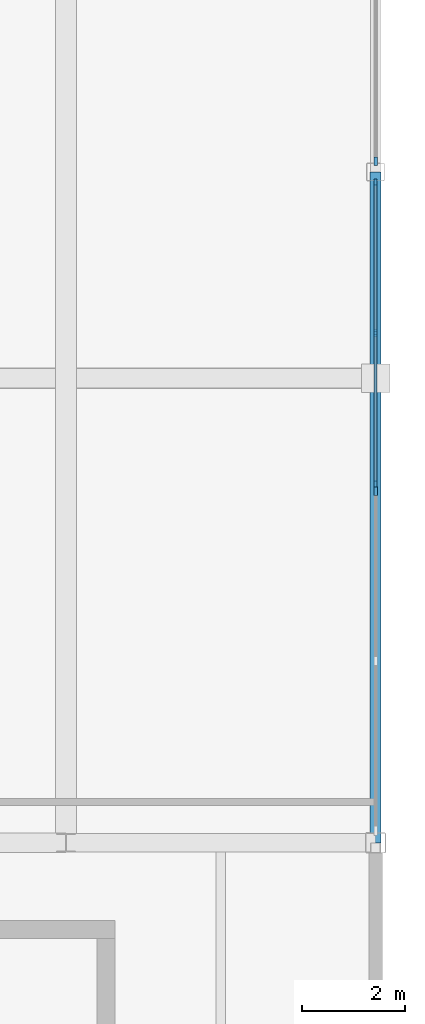
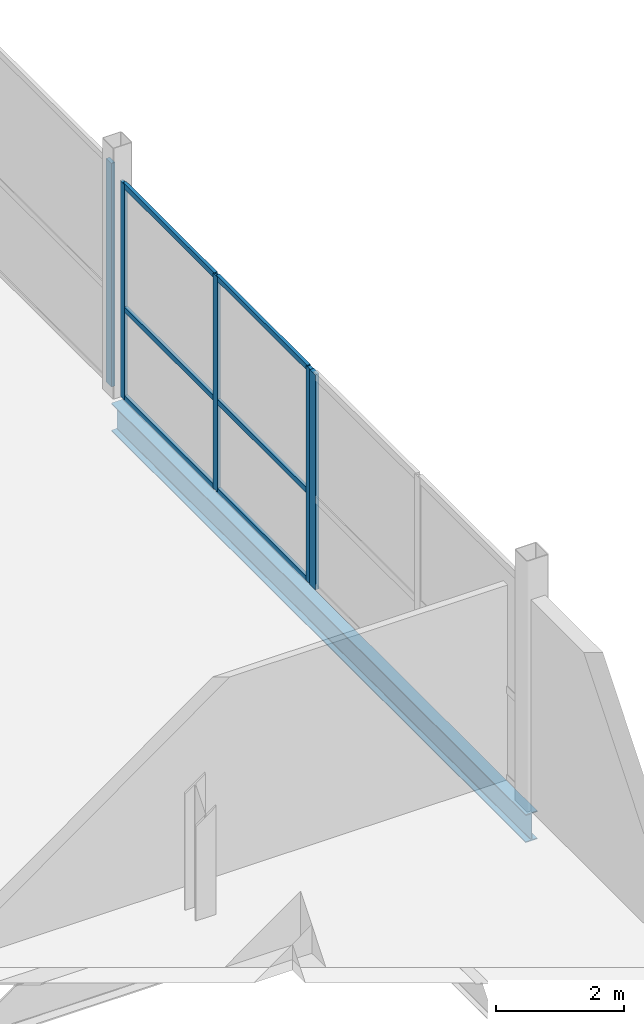
# One storey, part 37 of 69: 11 members, 1 beam, 3 elements without a shape of their own.
"""IFC4 building model written with IfcOpenShell, lengths in metres."""

from ifc_helpers import new_model, si_unit, direction, frame, origin, origin_2d, place, context, subcontext, project, spatial, rectangle, i_section, extrude, material, layer, layer_set, material_profile, profile_set, type_object, element, aggregate, save


model = new_model("IFC4")

# Units and contexts
model_context = context("Model", 3, precision=1e-05, world=origin(), true_north=direction((0.0, 1.0)))
body_context = subcontext(model_context, "Body", "Model", "MODEL_VIEW")
ifc_project = project(units=[si_unit("LENGTHUNIT", "METRE"), si_unit("AREAUNIT", "SQUARE_METRE"), si_unit("VOLUMEUNIT", "CUBIC_METRE"), si_unit("PLANEANGLEUNIT", "RADIAN"), si_unit("MASSUNIT", "GRAM", prefix="KILO")], contexts=[model_context])

# Site, building, storey
site_placement = place(None, origin())
site = spatial("IfcSite", under=ifc_project, at=site_placement, CompositionType="ELEMENT")
building_placement = place(site_placement, origin())
building = spatial("IfcBuilding", under=site, at=building_placement, Name="Qamarlyn Nura Convention Centre", CompositionType="ELEMENT")
storey_placement = place(building_placement, frame((0.0, 0.0, 15.60009765625)))
storey = spatial("IfcBuildingStorey", under=building, at=storey_placement, Name="L03", CompositionType="ELEMENT", Elevation=15.60009765625)

# Beam
ifc_material_1 = material(Name="Steel ASTM A992", Category="steel")
ifc_material_profile_1 = material_profile(ifc_material_1, i_section(OverallWidth=0.2109375, OverallDepth=0.5390625, WebThickness=0.01171875, FlangeThickness=0.018798828125, FilletRadius=0.013916015625, at=origin_2d()), Name="W530X109")
ifc_profile_set_1 = profile_set([ifc_material_profile_1], Name="Steel ASTM A992")
beam_type = type_object("IfcBeamType", Name="BM-SPAN-530", PredefinedType="SPANDREL", material=ifc_profile_set_1)
beam_placement = place(storey_placement, frame((192.0, 90.0, -0.469482421875), z_axis=(0.0, 1.0, 0.0), x_axis=(-1.0, 0.0, 0.0)))
element("IfcBeam", 1, at=beam_placement, inside=storey, type_object=beam_type, Name="L03 girder 18 L-M", PredefinedType="SPANDREL", context=body_context, shape_type="SweptSolid", body=[
    extrude(i_section(OverallWidth=0.2109375, OverallDepth=0.5390625, WebThickness=0.01171875, FlangeThickness=0.018798828125, FilletRadius=0.013916015625, at=origin_2d()), origin(), (0.0, 0.0, 1.0), 13.0),
])

# Curtain wall, members
ifc_material_2 = material(Name="Double-silver low-E insulated glass", Category="glass")
ifc_layer_1 = layer(ifc_material_2, 0.179931640625, Name="CW-UNIT-115")
ifc_layer_set_1 = layer_set([ifc_layer_1], Name="Double-silver low-E insulated glass")
curtain_wall_type_1 = type_object("IfcCurtainWallType", Name="CW-UNIT-115", PredefinedType="NOTDEFINED", material=ifc_layer_set_1)
curtain_wall_1_placement = place(storey_placement, origin())
curtain_wall_1 = element("IfcCurtainWall", 2, at=curtain_wall_1_placement, inside=storey, type_object=curtain_wall_type_1, Name="L03 unitised curtain wall EAST-11-1A", PredefinedType="NOTDEFINED")
ifc_material_3 = material(Name="Champagne-anodised marine aluminium", Category="aluminium")
ifc_material_profile_2 = material_profile(ifc_material_3, rectangle(XDim=0.06005859375, YDim=0.139892578125, at=origin_2d()), Name="ALU MULLION 60x140")
ifc_profile_set_2 = profile_set([ifc_material_profile_2], Name="Champagne-anodised marine aluminium")
member_type_1 = type_object("IfcMemberType", Name="CWM-140", PredefinedType="MULLION", material=ifc_profile_set_2)
member_1_placement = place(storey_placement, frame((192.0, 102.794921875, 0.0), z_axis=(0.0, 0.0, 1.0), x_axis=(1.0, 0.0, 0.0)))
member_1 = element("IfcMember", 3, at=member_1_placement, type_object=member_type_1, Name="CW115 mullion 1", PredefinedType="MULLION", context=body_context, shape_type="SweptSolid", body=[
    extrude(rectangle(XDim=0.06005859375, YDim=0.139892578125, at=origin_2d()), origin(), (0.0, 0.0, 1.0), 4.118896484375),
])
member_2_placement = place(storey_placement, frame((192.0, 99.878173828125, 0.0), z_axis=(0.0, 0.0, 1.0), x_axis=(1.0, 0.0, 0.0)))
member_2 = element("IfcMember", 4, at=member_2_placement, type_object=member_type_1, Name="CW115 mullion 2", PredefinedType="MULLION", context=body_context, shape_type="SweptSolid", body=[
    extrude(rectangle(XDim=0.06005859375, YDim=0.139892578125, at=origin_2d()), origin(), (0.0, 0.0, 1.0), 4.118896484375),
])
member_3_placement = place(storey_placement, frame((192.0, 96.961181640625, 0.0), z_axis=(0.0, 0.0, 1.0), x_axis=(1.0, 0.0, 0.0)))
member_3 = element("IfcMember", 5, at=member_3_placement, type_object=member_type_1, Name="CW115 mullion 3", PredefinedType="MULLION", context=body_context, shape_type="SweptSolid", body=[
    extrude(rectangle(XDim=0.06005859375, YDim=0.139892578125, at=origin_2d()), origin(), (0.0, 0.0, 1.0), 4.118896484375),
])

# Curtain wall, member
ifc_layer_2 = layer(ifc_material_2, 0.179931640625, Name="CW-UNIT-117")
ifc_layer_set_2 = layer_set([ifc_layer_2], Name="Double-silver low-E insulated glass")
curtain_wall_type_2 = type_object("IfcCurtainWallType", Name="CW-UNIT-117", PredefinedType="NOTDEFINED", material=ifc_layer_set_2)
curtain_wall_2_placement = place(storey_placement, origin())
curtain_wall_2 = element("IfcCurtainWall", 6, at=curtain_wall_2_placement, inside=storey, type_object=curtain_wall_type_2, Name="L03 unitised curtain wall EAST-12-1", PredefinedType="NOTDEFINED")
ifc_material_profile_3 = material_profile(ifc_material_3, rectangle(XDim=0.06494140625, YDim=0.159912109375, at=origin_2d()), Name="ALU MULLION 65x160")
ifc_profile_set_3 = profile_set([ifc_material_profile_3], Name="Champagne-anodised marine aluminium")
member_type_2 = type_object("IfcMemberType", Name="CWM-160", PredefinedType="MULLION", material=ifc_profile_set_3)
member_4_placement = place(storey_placement, frame((192.0, 103.20751953125, 0.0), z_axis=(0.0, 0.0, 1.0), x_axis=(1.0, 0.0, 0.0)))
member_4 = element("IfcMember", 7, at=member_4_placement, type_object=member_type_2, Name="CW117 mullion 2", PredefinedType="MULLION", context=body_context, shape_type="SweptSolid", body=[
    extrude(rectangle(XDim=0.06494140625, YDim=0.159912109375, at=origin_2d()), origin(), (0.0, 0.0, 1.0), 4.284912109375),
])
aggregate(curtain_wall_2, [member_4])

ifc_layer_3 = layer(ifc_material_2, 0.179931640625, Name="CW-UNIT-116")
ifc_layer_set_3 = layer_set([ifc_layer_3], Name="Double-silver low-E insulated glass")
curtain_wall_type_3 = type_object("IfcCurtainWallType", Name="CW-UNIT-116", PredefinedType="NOTDEFINED", material=ifc_layer_set_3)
curtain_wall_3_placement = place(storey_placement, origin())
curtain_wall_3 = element("IfcCurtainWall", 8, at=curtain_wall_3_placement, inside=storey, type_object=curtain_wall_type_3, Name="L03 unitised curtain wall EAST-11-1B", PredefinedType="NOTDEFINED")
ifc_material_profile_4 = material_profile(ifc_material_3, rectangle(XDim=0.070068359375, YDim=0.179931640625, at=origin_2d()), Name="ALU MULLION 70x180")
ifc_profile_set_4 = profile_set([ifc_material_profile_4], Name="Champagne-anodised marine aluminium")
member_type_3 = type_object("IfcMemberType", Name="CWM-180", PredefinedType="MULLION", material=ifc_profile_set_4)
member_5_placement = place(storey_placement, frame((192.0, 96.81640625, 0.0), z_axis=(0.0, 0.0, 1.0), x_axis=(1.0, 0.0, 0.0)))
member_5 = element("IfcMember", 9, at=member_5_placement, type_object=member_type_3, Name="CW116 mullion 1", PredefinedType="MULLION", context=body_context, shape_type="SweptSolid", body=[
    extrude(rectangle(XDim=0.070068359375, YDim=0.179931640625, at=origin_2d()), origin(), (0.0, 0.0, 1.0), 4.118896484375),
])
aggregate(curtain_wall_3, [member_5])

# Member
ifc_material_profile_5 = material_profile(ifc_material_3, rectangle(XDim=0.06005859375, YDim=0.10009765625, at=origin_2d()), Name="ALU TRANSOM 60x100")
ifc_profile_set_5 = profile_set([ifc_material_profile_5], Name="Champagne-anodised marine aluminium")
member_type_4 = type_object("IfcMemberType", Name="CWT-100", PredefinedType="USERDEFINED", material=ifc_profile_set_5)
member_6_placement = place(storey_placement, frame((192.0, 102.764892578125, 0.02978515625), z_axis=(0.0, -1.0, 0.0), x_axis=(1.0, 0.0, 0.0)))
member_6 = element("IfcMember", 10, at=member_6_placement, type_object=member_type_4, Name="CW115 transom 1.1", ObjectType="TRANSOM", PredefinedType="USERDEFINED", context=body_context, shape_type="SweptSolid", body=[
    extrude(rectangle(XDim=0.06005859375, YDim=0.10009765625, at=origin_2d()), origin(), (0.0, 0.0, 1.0), 2.856689453125),
])

member_7_placement = place(storey_placement, frame((192.0, 102.764892578125, 1.72998046875), z_axis=(0.0, -1.0, 0.0), x_axis=(1.0, 0.0, 0.0)))
member_7 = element("IfcMember", 11, at=member_7_placement, type_object=member_type_4, Name="CW115 transom 1.2", ObjectType="TRANSOM", PredefinedType="USERDEFINED", context=body_context, shape_type="SweptSolid", body=[
    extrude(rectangle(XDim=0.06005859375, YDim=0.10009765625, at=origin_2d()), origin(), (0.0, 0.0, 1.0), 2.856689453125),
])

member_8_placement = place(storey_placement, frame((192.0, 102.764892578125, 4.0888671875), z_axis=(0.0, -1.0, 0.0), x_axis=(1.0, 0.0, 0.0)))
member_8 = element("IfcMember", 12, at=member_8_placement, type_object=member_type_4, Name="CW115 transom 1.3", ObjectType="TRANSOM", PredefinedType="USERDEFINED", context=body_context, shape_type="SweptSolid", body=[
    extrude(rectangle(XDim=0.06005859375, YDim=0.10009765625, at=origin_2d()), origin(), (0.0, 0.0, 1.0), 2.856689453125),
])

member_9_placement = place(storey_placement, frame((192.0, 99.84814453125, 0.02978515625), z_axis=(0.0, -1.0, 0.0), x_axis=(1.0, 0.0, 0.0)))
member_9 = element("IfcMember", 13, at=member_9_placement, type_object=member_type_4, Name="CW115 transom 2.1", ObjectType="TRANSOM", PredefinedType="USERDEFINED", context=body_context, shape_type="SweptSolid", body=[
    extrude(rectangle(XDim=0.06005859375, YDim=0.10009765625, at=origin_2d()), origin(), (0.0, 0.0, 1.0), 2.85693359375),
])

member_10_placement = place(storey_placement, frame((192.0, 99.84814453125, 1.72998046875), z_axis=(0.0, -1.0, 0.0), x_axis=(1.0, 0.0, 0.0)))
member_10 = element("IfcMember", 14, at=member_10_placement, type_object=member_type_4, Name="CW115 transom 2.2", ObjectType="TRANSOM", PredefinedType="USERDEFINED", context=body_context, shape_type="SweptSolid", body=[
    extrude(rectangle(XDim=0.06005859375, YDim=0.10009765625, at=origin_2d()), origin(), (0.0, 0.0, 1.0), 2.85693359375),
])

member_11_placement = place(storey_placement, frame((192.0, 99.84814453125, 4.0888671875), z_axis=(0.0, -1.0, 0.0), x_axis=(1.0, 0.0, 0.0)))
member_11 = element("IfcMember", 15, at=member_11_placement, type_object=member_type_4, Name="CW115 transom 2.3", ObjectType="TRANSOM", PredefinedType="USERDEFINED", context=body_context, shape_type="SweptSolid", body=[
    extrude(rectangle(XDim=0.06005859375, YDim=0.10009765625, at=origin_2d()), origin(), (0.0, 0.0, 1.0), 2.85693359375),
])

aggregate(curtain_wall_1, [member_1, member_2, member_3, member_6, member_7, member_8, member_9, member_10, member_11])

save(model, "model.ifc")
